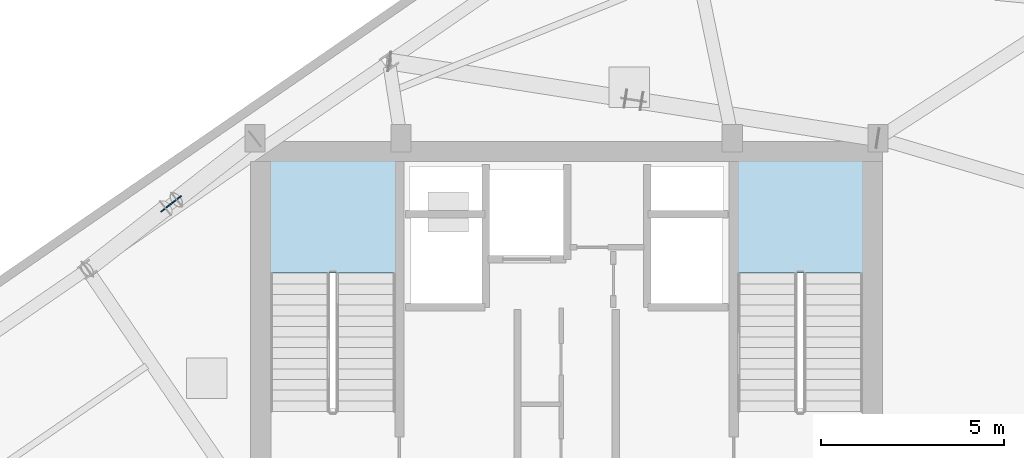
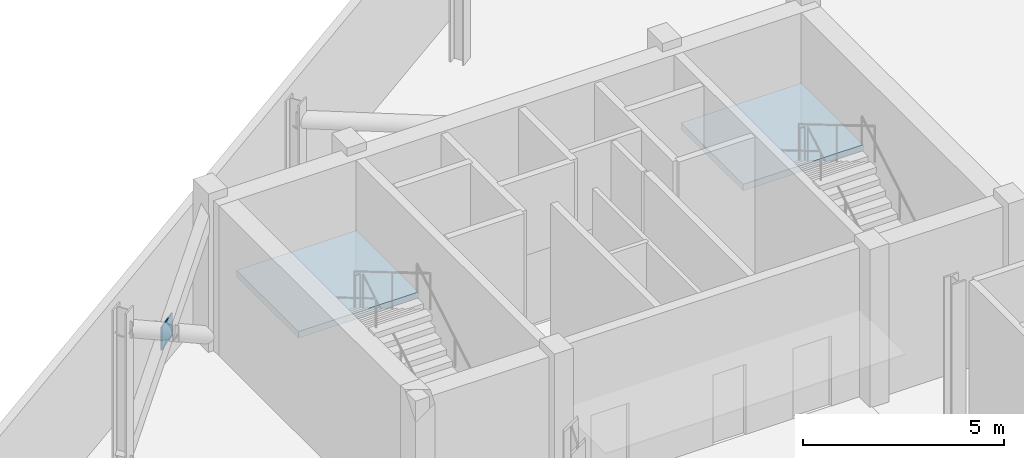
# One storey, part 3 of 9: 2 slabs, 1 plate, 2 elements without a shape of their own.
"""IFC4 building model written with IfcOpenShell, lengths in metres."""

from ifc_helpers import new_model, si_unit, direction, frame, origin, origin_2d, place, context, subcontext, project, spatial, polyline, rectangle, outline, extrude, source, transform, mapped, material, layer, layer_set, type_object, element, aggregate, save


model = new_model("IFC4")

# Units and contexts
model_context = context("Model", 3, precision=1e-05, world=origin(), true_north=direction((0.0, 1.0)))
body_context = subcontext(model_context, "Body", "Model", "MODEL_VIEW")
ifc_project = project(units=[si_unit("LENGTHUNIT", "METRE"), si_unit("AREAUNIT", "SQUARE_METRE"), si_unit("VOLUMEUNIT", "CUBIC_METRE"), si_unit("PLANEANGLEUNIT", "RADIAN"), si_unit("MASSUNIT", "GRAM", prefix="KILO")], contexts=[model_context])

# Site, building, storey
site_placement = place(None, origin())
site = spatial("IfcSite", under=ifc_project, at=site_placement, CompositionType="ELEMENT")
building_placement = place(site_placement, origin())
building = spatial("IfcBuilding", under=site, at=building_placement, Name="Varnelok Gate Tower", CompositionType="ELEMENT")
storey_placement = place(building_placement, frame((0.0, 0.0, 301.10009765625)))
storey = spatial("IfcBuildingStorey", under=building, at=storey_placement, Name="L77", CompositionType="ELEMENT", Elevation=301.10009765625)

# Stair, slab
ifc_material_1 = material(Name="Concrete C50/60", Category="concrete")
stair_type = type_object("IfcStairType", Name="STR-CORE-1650", PredefinedType="HALF_TURN_STAIR", material=ifc_material_1)
stair_1_placement = place(storey_placement, origin())
stair_1 = element("IfcStair", 1, at=stair_1_placement, inside=storey, type_object=stair_type, Name="L77 Exit Stair ST-1", PredefinedType="HALF_TURN_STAIR")
ifc_material_2 = material(Name="Concrete C45/55", Category="concrete")
ifc_layer_1 = layer(ifc_material_2, 0.199951171875)
ifc_layer_set_1 = layer_set([ifc_layer_1], Name="Concrete C45/55")
slab_type = type_object("IfcSlabType", Name="SLB-LAND-200", PredefinedType="LANDING", material=ifc_layer_set_1)
slab_1_placement = place(storey_placement, frame((0.0, 0.0, 2.199951171875)))
slab_1 = element("IfcSlab", 2, at=slab_1_placement, type_object=slab_type, Name="ST-1 landing 1", PredefinedType="LANDING", context=body_context, shape_type="SweptSolid", body=[
    extrude(outline(polyline([(34.550048828125, 35.3701171875), (34.550048828125, 38.449951171875), (31.10009765625, 38.449951171875), (31.10009765625, 35.3701171875), (34.550048828125, 35.3701171875)])), origin(), (0.0, 0.0, 1.0), 0.199951171875),
])
aggregate(stair_1, [slab_1])

stair_2_placement = place(storey_placement, origin())
stair_2 = element("IfcStair", 3, at=stair_2_placement, inside=storey, type_object=stair_type, Name="L77 Exit Stair ST-2", PredefinedType="HALF_TURN_STAIR")
slab_2_placement = place(storey_placement, frame((0.0, 0.0, 2.199951171875)))
slab_2 = element("IfcSlab", 4, at=slab_2_placement, type_object=slab_type, Name="ST-2 landing 1", PredefinedType="LANDING", context=body_context, shape_type="SweptSolid", body=[
    extrude(outline(polyline([(47.300048828125, 35.3701171875), (47.300048828125, 38.449951171875), (43.85009765625, 38.449951171875), (43.85009765625, 35.3701171875), (47.300048828125, 35.3701171875)])), origin(), (0.0, 0.0, 1.0), 0.199951171875),
])
aggregate(stair_2, [slab_2])

# Plate
ifc_material_3 = material(Name="Structural Steel ASTM A572 Grade 50", Category="steel")
ifc_layer_2 = layer(ifc_material_3, 0.031982421875)
ifc_layer_set_2 = layer_set([ifc_layer_2], Name="Structural Steel ASTM A572 Grade 50")
plate_type = type_object("IfcPlateType", Name="PLT-GUSSET-32", PredefinedType="USERDEFINED", material=ifc_layer_set_2)
shared_shape = source(origin(), body_context, "Body", "SweptSolid", [
    extrude(rectangle(XDim=0.699951171875, YDim=0.031982421875, at=origin_2d()), origin(), (0.0, 0.0, 1.0), 0.699951171875),
])
plate_placement = place(storey_placement, frame((28.40966796875, 37.2626953125, 1.85009765625), z_axis=(0.0, 0.0, 1.0), x_axis=(-0.788354480922, -0.615221271097, 0.0)))
element("IfcPlate", 5, at=plate_placement, inside=storey, type_object=plate_type, Name="L77 Outrigger X-Brace Gusset Plate XN-1", ObjectType="GUSSET PLATE", PredefinedType="USERDEFINED", context=body_context, shape_type="MappedRepresentation", body=[
    mapped(shared_shape, transform((0.0, 0.0, 0.0), scale=1.0)),
])

save(model, "model.ifc")
